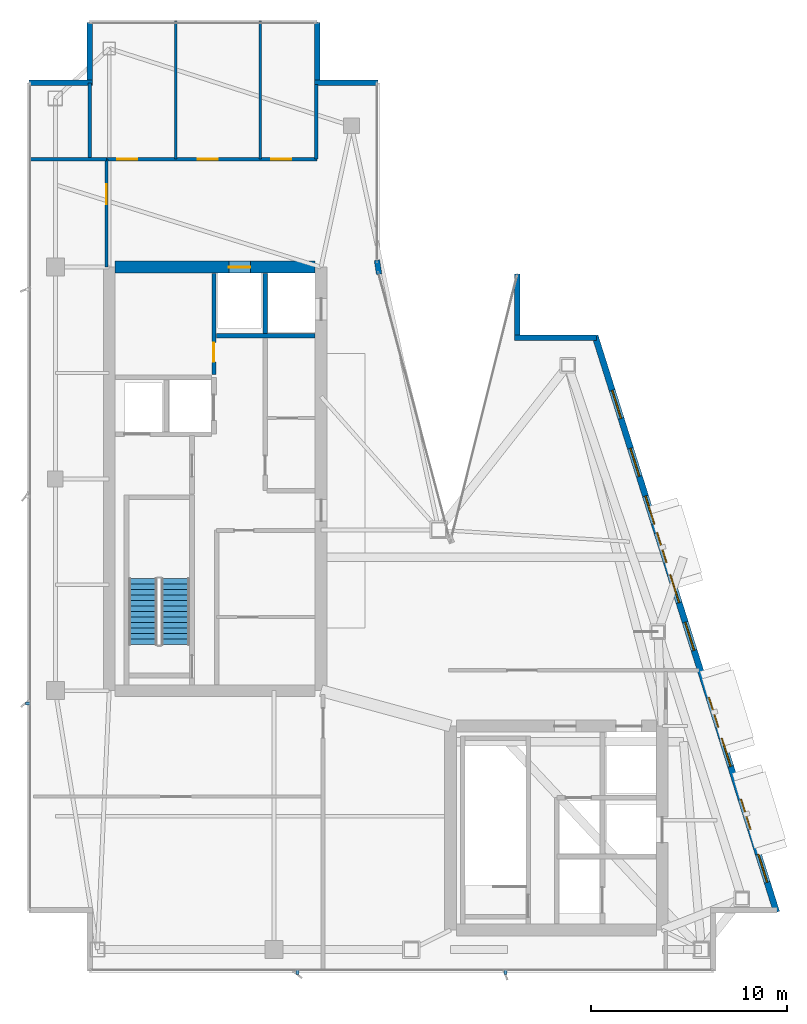
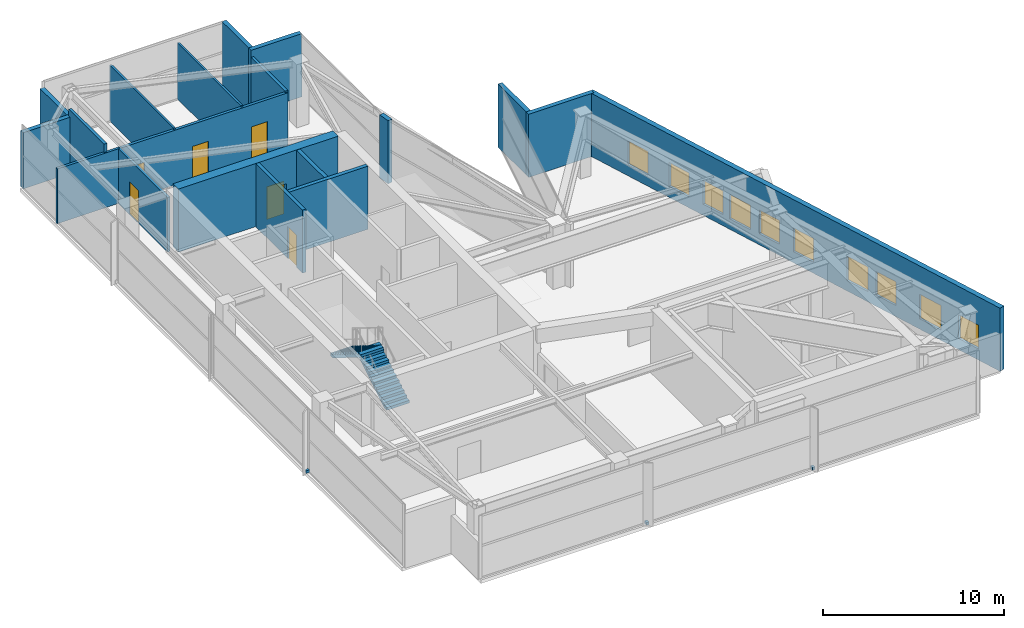
# One storey, part 22 of 25: 19 walls, 10 windows, 6 doors, 3 discrete accessories, 2 stair flights, 16 openings, 1 element without a shape of its own.
"""IFC4 building model written with IfcOpenShell, lengths in metres."""

from ifc_helpers import new_model, si_unit, direction, frame, frame_2d, origin, origin_2d, place, context, subcontext, project, spatial, polyline, rectangle, outline, extrude, material, layer, layer_set, type_object, element, fill, aggregate, save


model = new_model("IFC4")

# Units and contexts
model_context = context("Model", 3, precision=1e-05, world=origin(), true_north=direction((0.0, 1.0)))
body_context = subcontext(model_context, "Body", "Model", "MODEL_VIEW")
ifc_project = project(units=[si_unit("LENGTHUNIT", "METRE"), si_unit("AREAUNIT", "SQUARE_METRE"), si_unit("VOLUMEUNIT", "CUBIC_METRE"), si_unit("PLANEANGLEUNIT", "RADIAN"), si_unit("MASSUNIT", "GRAM", prefix="KILO")], contexts=[model_context])

# Site, building, storey
site_placement = place(None, origin())
site = spatial("IfcSite", under=ifc_project, at=site_placement, CompositionType="ELEMENT")
building_placement = place(site_placement, origin())
building = spatial("IfcBuilding", under=site, at=building_placement, Name="Calvorn Quay Hotel", CompositionType="ELEMENT")
storey_placement = place(building_placement, frame((0.0, 0.0, 316.0)))
storey = spatial("IfcBuildingStorey", under=building, at=storey_placement, Name="L78", CompositionType="ELEMENT", Elevation=316.0)

# Wall, opening, door
ifc_material_1 = material(Name="Concrete C45", Category="concrete")
ifc_layer_1 = layer(ifc_material_1, 0.60009765625)
ifc_layer_set_1 = layer_set([ifc_layer_1], Name="WL-CORE-600")
wall_type_1 = type_object("IfcWallType", Name="WL-CORE-600", PredefinedType="SHEAR", material=ifc_layer_set_1)
wall_1_placement = place(storey_placement, frame((4.5, 38.39990234375, 0.0), z_axis=(0.0, 0.0, 1.0), x_axis=(1.0, 0.0, 0.0)))
wall_1 = element("IfcWall", 1, at=wall_1_placement, inside=storey, type_object=wall_type_1, Name="West Core Shear Wall N (L78)", PredefinedType="SHEAR", context=body_context, shape_type="SweptSolid", body=[
    extrude(rectangle(XDim=10.199951171875, YDim=0.60009765625, at=frame_2d((5.10009765625, 0.0))), origin(), (0.0, 0.0, 1.0), 4.260009765625),
])
opening_1_placement = place(wall_1_placement, frame((5.800048828125, 0.0, 0.0)))
opening_1 = element("IfcOpeningElement", 2, at=opening_1_placement, cuts=wall_1, Name="Opening LD-L78-H2", PredefinedType="OPENING", context=body_context, shape_type="SweptSolid", body=[
    extrude(rectangle(XDim=1.10009765625, YDim=2.199951171875, at=frame_2d((0.550048828125, 1.10009765625))), frame((0.0, 0.31005859375, 0.0), z_axis=(0.0, -1.0, 0.0), x_axis=(1.0, 0.0, 0.0)), (0.0, 0.0, 1.0), 0.6201171875),
])
ifc_material_2 = material(Name="Brushed Stainless Steel Sliding Lift Landing Door", Category="steel")
door_type_1 = type_object("IfcDoorType", Name="DR-LIFT-PASS-1100", OperationType="NOTDEFINED", PredefinedType="DOOR", material=ifc_material_2)
door_1_placement = place(opening_1_placement, origin())
door_1 = element("IfcDoor", 3, at=door_1_placement, inside=storey, type_object=door_type_1, Name="High-Rise Lift PL-H2 Landing Door (L78)", OperationType="DOUBLE_DOOR_SLIDING", OverallHeight=2.199951171875, OverallWidth=1.10009765625, PredefinedType="DOOR", context=body_context, shape_type="SweptSolid", body=[
    extrude(rectangle(XDim=1.10009765625, YDim=2.199951171875, at=frame_2d((0.550048828125, 1.10009765625))), frame((0.0, 0.02490234375, 0.0), z_axis=(0.0, -1.0, 0.0), x_axis=(1.0, 0.0, 0.0)), (0.0, 0.0, 1.0), 0.050048828125),
])
fill(opening_1, door_1)

# Wall
ifc_material_3 = material(Name="Acoustic Fireboard Steel-Stud Partition", Category="steel")
ifc_layer_2 = layer(ifc_material_3, 0.179931640625)
ifc_layer_set_2 = layer_set([ifc_layer_2], Name="WL-CORR-FIRE-180")
wall_type_2 = type_object("IfcWallType", Name="WL-CORR-FIRE-180", PredefinedType="PARTITIONING", material=ifc_layer_set_2)
wall_2_placement = place(storey_placement, frame((3.199951171875, 43.89990234375, 0.0), z_axis=(0.0, 0.0, 1.0), x_axis=(0.0, 1.0, 0.0)))
element("IfcWall", 4, at=wall_2_placement, inside=storey, type_object=wall_type_2, Name="Partition Wall L78-WL-SK-WC-W", PredefinedType="PARTITIONING", context=body_context, shape_type="SweptSolid", body=[
    extrude(rectangle(XDim=3.900146484375, YDim=0.179931640625, at=frame_2d((1.9501953125, 0.0))), origin(), (0.0, 0.0, 1.0), 4.260009765625),
])

# Wall, openings, doors
wall_3_placement = place(storey_placement, frame((4.06005859375, 43.89990234375, 0.0), z_axis=(0.0, 0.0, 1.0), x_axis=(1.0, 0.0, 0.0)))
wall_3 = element("IfcWall", 5, at=wall_3_placement, inside=storey, type_object=wall_type_2, Name="Partition Wall L78-WL-SK-WC-S", PredefinedType="PARTITIONING", context=body_context, shape_type="SweptSolid", body=[
    extrude(rectangle(XDim=10.739990234375, YDim=0.179931640625, at=frame_2d((5.3701171875, 0.0))), origin(), (0.0, 0.0, 1.0), 3.68994140625),
])
opening_2_placement = place(wall_3_placement, frame((0.550048828125, 0.0, 0.0)))
opening_2 = element("IfcOpeningElement", 6, at=opening_2_placement, cuts=wall_3, Name="Opening D-L78-WM", PredefinedType="OPENING", context=body_context, shape_type="SweptSolid", body=[
    extrude(rectangle(XDim=1.02001953125, YDim=2.199951171875, at=frame_2d((0.510009765625, 1.10009765625))), frame((0.0, 0.099853515625, 0.0), z_axis=(0.0, -1.0, 0.0), x_axis=(1.0, 0.0, 0.0)), (0.0, 0.0, 1.0), 0.199951171875),
])
opening_3_placement = place(wall_3_placement, frame((4.64990234375, 0.0, 0.0)))
opening_3 = element("IfcOpeningElement", 7, at=opening_3_placement, cuts=wall_3, Name="Opening D-L78-WF", PredefinedType="OPENING", context=body_context, shape_type="SweptSolid", body=[
    extrude(rectangle(XDim=1.02001953125, YDim=2.199951171875, at=frame_2d((0.510009765625, 1.10009765625))), frame((0.0, 0.099853515625, 0.0), z_axis=(0.0, -1.0, 0.0), x_axis=(1.0, 0.0, 0.0)), (0.0, 0.0, 1.0), 0.199951171875),
])
opening_4_placement = place(wall_3_placement, frame((8.39990234375, 0.0, 0.0)))
opening_4 = element("IfcOpeningElement", 8, at=opening_4_placement, cuts=wall_3, Name="Opening D-L78-WA", PredefinedType="OPENING", context=body_context, shape_type="SweptSolid", body=[
    extrude(rectangle(XDim=1.02001953125, YDim=2.199951171875, at=frame_2d((0.510009765625, 1.10009765625))), frame((0.0, 0.099853515625, 0.0), z_axis=(0.0, -1.0, 0.0), x_axis=(1.0, 0.0, 0.0)), (0.0, 0.0, 1.0), 0.199951171875),
])
ifc_material_4 = material(Name="Solid-Core Walnut Veneer Hotel Fire Door")
door_type_2 = type_object("IfcDoorType", Name="DR-GUEST-ENTRY-1020", OperationType="NOTDEFINED", PredefinedType="DOOR", material=ifc_material_4)
door_2_placement = place(opening_2_placement, origin())
door_2 = element("IfcDoor", 9, at=door_2_placement, inside=storey, type_object=door_type_2, Name="Male WC Door", OperationType="SINGLE_SWING_LEFT", OverallHeight=2.199951171875, OverallWidth=1.02001953125, PredefinedType="DOOR", context=body_context, shape_type="SweptSolid", body=[
    extrude(rectangle(XDim=1.02001953125, YDim=2.199951171875, at=frame_2d((0.510009765625, 1.10009765625))), frame((0.0, 0.02490234375, 0.0), z_axis=(0.0, -1.0, 0.0), x_axis=(1.0, 0.0, 0.0)), (0.0, 0.0, 1.0), 0.050048828125),
])
fill(opening_2, door_2)
door_3_placement = place(opening_3_placement, origin())
door_3 = element("IfcDoor", 10, at=door_3_placement, inside=storey, type_object=door_type_2, Name="Female WC Door", OperationType="SINGLE_SWING_RIGHT", OverallHeight=2.199951171875, OverallWidth=1.02001953125, PredefinedType="DOOR", context=body_context, shape_type="SweptSolid", body=[
    extrude(rectangle(XDim=1.02001953125, YDim=2.199951171875, at=frame_2d((0.510009765625, 1.10009765625))), frame((0.0, 0.02490234375, 0.0), z_axis=(0.0, -1.0, 0.0), x_axis=(1.0, 0.0, 0.0)), (0.0, 0.0, 1.0), 0.050048828125),
])
fill(opening_3, door_3)
door_4_placement = place(opening_4_placement, origin())
door_4 = element("IfcDoor", 11, at=door_4_placement, inside=storey, type_object=door_type_2, Name="Accessible WC Door", OperationType="SINGLE_SWING_LEFT", OverallHeight=2.199951171875, OverallWidth=1.02001953125, PredefinedType="DOOR", context=body_context, shape_type="SweptSolid", body=[
    extrude(rectangle(XDim=1.02001953125, YDim=2.199951171875, at=frame_2d((0.510009765625, 1.10009765625))), frame((0.0, 0.02490234375, 0.0), z_axis=(0.0, -1.0, 0.0), x_axis=(1.0, 0.0, 0.0)), (0.0, 0.0, 1.0), 0.050048828125),
])
fill(opening_4, door_4)

# Walls
wall_4_placement = place(storey_placement, frame((14.75, 43.89990234375, 0.0), z_axis=(0.0, 0.0, 1.0), x_axis=(0.0, 1.0, 0.0)))
element("IfcWall", 12, at=wall_4_placement, inside=storey, type_object=wall_type_2, Name="Partition Wall L78-WL-SK-WC-E", PredefinedType="PARTITIONING", context=body_context, shape_type="SweptSolid", body=[
    extrude(rectangle(XDim=3.820068359375, YDim=0.179931640625, at=frame_2d((1.91015625, 0.0))), origin(), (0.0, 0.0, 1.0), 3.7900390625),
])
ifc_material_5 = material(Name="Moisture-Resistant Tile-Backed Partition")
ifc_layer_3 = layer(ifc_material_5, 0.125)
ifc_layer_set_3 = layer_set([ifc_layer_3], Name="WL-ENSUITE-125")
wall_type_3 = type_object("IfcWallType", Name="WL-ENSUITE-125", PredefinedType="PARTITIONING", material=ifc_layer_set_3)
for number, where, z_axis, x_axis, name in (
    (13, (7.60009765625, 43.89990234375, 0.0), (0.0, 0.0, 1.0), (0.0, 1.0, 0.0), "Partition Wall L78-WL-SK-WC-D1"),
    (14, (11.89990234375, 43.89990234375, 0.0), (0.0, 0.0, 1.0), (0.0, 1.0, 0.0), "Partition Wall L78-WL-SK-WC-D2"),
):
    element("IfcWall", number, at=place(storey_placement, frame(where, z_axis=z_axis, x_axis=x_axis)), inside=storey, type_object=wall_type_3, Name=name, PredefinedType="PARTITIONING", context=body_context, shape_type="SweptSolid", body=[
        extrude(rectangle(XDim=7.0400390625, YDim=0.125, at=frame_2d((3.52001953125, 0.0))), origin(), (0.0, 0.0, 1.0), 3.7900390625),
    ])
ifc_material_6 = material(Name="Concrete C40", Category="concrete")
ifc_layer_4 = layer(ifc_material_6, 0.320068359375)
ifc_layer_set_4 = layer_set([ifc_layer_4], Name="WL-EXT-SPANDREL-320")
wall_type_4 = type_object("IfcWallType", Name="WL-EXT-SPANDREL-320", PredefinedType="SOLIDWALL", material=ifc_layer_set_4)
wall_5_placement = place(storey_placement, frame((17.9619140625, 38.030029296875, 0.0), z_axis=(0.0, 0.0, 1.0), x_axis=(-0.15141125477, 0.988470855377, 0.0)))
element("IfcWall", 15, at=wall_5_placement, inside=storey, type_object=wall_type_4, Name="Inner Court Corner Pier L78-ICJ2", PredefinedType="SOLIDWALL", context=body_context, shape_type="SweptSolid", body=[
    extrude(rectangle(XDim=0.738525390625, YDim=0.280029296875, at=frame_2d((0.369140625, 0.0))), origin(), (0.0, 0.0, 1.0), 4.260009765625),
])
wall_6_placement = place(storey_placement, frame((29.0400390625, 34.800048828125, 0.0), z_axis=(0.0, 0.0, 1.0), x_axis=(-1.0, 0.0, 0.0)))
element("IfcWall", 16, at=wall_6_placement, inside=storey, type_object=wall_type_4, Name="Notched Corner Spandrel L78-NE1", PredefinedType="SOLIDWALL", context=body_context, shape_type="SweptSolid", body=[
    extrude(rectangle(XDim=4.179931640625, YDim=0.280029296875, at=frame_2d((2.08984375, 0.0))), origin(), (0.0, 0.0, 1.0), 4.260009765625),
])
wall_7_placement = place(storey_placement, frame((25.0, 34.93994140625, 0.0), z_axis=(0.0, 0.0, 1.0), x_axis=(0.0, 1.0, 0.0)))
element("IfcWall", 17, at=wall_7_placement, inside=storey, type_object=wall_type_4, Name="Notched Corner Spandrel L78-NE2", PredefinedType="SOLIDWALL", context=body_context, shape_type="SweptSolid", body=[
    extrude(rectangle(XDim=3.10009765625, YDim=0.280029296875, at=frame_2d((1.550048828125, 0.0))), origin(), (0.0, 0.0, 1.0), 4.260009765625),
])
wall_8_placement = place(storey_placement, frame((17.89990234375, 47.800048828125, 0.0), z_axis=(0.0, 0.0, 1.0), x_axis=(-1.0, 0.0, 0.0)))
element("IfcWall", 18, at=wall_8_placement, inside=storey, type_object=wall_type_4, Name="Notched Corner Spandrel L78-NWE1", PredefinedType="SOLIDWALL", context=body_context, shape_type="SweptSolid", body=[
    extrude(rectangle(XDim=3.239990234375, YDim=0.280029296875, at=frame_2d((1.6201171875, 0.0))), origin(), (0.0, 0.0, 1.0), 4.260009765625),
])
wall_9_placement = place(storey_placement, frame((14.800048828125, 47.93994140625, 0.0), z_axis=(0.0, 0.0, 1.0), x_axis=(0.0, 1.0, 0.0)))
element("IfcWall", 19, at=wall_9_placement, inside=storey, type_object=wall_type_4, Name="Notched Corner Spandrel L78-NWE2", PredefinedType="SOLIDWALL", context=body_context, shape_type="SweptSolid", body=[
    extrude(rectangle(XDim=2.93994140625, YDim=0.280029296875, at=frame_2d((1.469970703125, 0.0))), origin(), (0.0, 0.0, 1.0), 4.260009765625),
])
wall_10_placement = place(storey_placement, frame((3.199951171875, 50.8798828125, 0.0), z_axis=(0.0, 0.0, 1.0), x_axis=(0.0, -1.0, 0.0)))
element("IfcWall", 20, at=wall_10_placement, inside=storey, type_object=wall_type_4, Name="Notched Corner Spandrel L78-NW1", PredefinedType="SOLIDWALL", context=body_context, shape_type="SweptSolid", body=[
    extrude(rectangle(XDim=2.93994140625, YDim=0.280029296875, at=frame_2d((1.469970703125, 0.0))), origin(), (0.0, 0.0, 1.0), 3.7900390625),
])
wall_11_placement = place(storey_placement, frame((3.340087890625, 47.800048828125, 0.0), z_axis=(0.0, 0.0, 1.0), x_axis=(-1.0, 0.0, 0.0)))
element("IfcWall", 21, at=wall_11_placement, inside=storey, type_object=wall_type_4, Name="Notched Corner Spandrel L78-NW2", PredefinedType="SOLIDWALL", context=body_context, shape_type="SweptSolid", body=[
    extrude(rectangle(XDim=3.219970703125, YDim=0.280029296875, at=frame_2d((1.60986328125, 0.0))), origin(), (0.0, 0.0, 1.0), 3.7900390625),
])

# Wall, openings, windows
wall_12_placement = place(storey_placement, frame((38.22998046875, 5.5048828125, 0.0), z_axis=(0.0, 0.0, 1.0), x_axis=(-0.300509063924, 0.953778958931, 0.0)))
wall_12 = element("IfcWall", 22, at=wall_12_placement, inside=storey, type_object=wall_type_4, Name="East Stepped Waterfront Exterior Wall (L78)", PredefinedType="SOLIDWALL", context=body_context, shape_type="SweptSolid", body=[
    extrude(rectangle(XDim=30.814453125, YDim=0.320068359375, at=frame_2d((15.4072265625, 0.0))), origin(), (0.0, 0.0, 1.0), 4.260009765625),
])
opening_5_placement = place(wall_12_placement, frame((4.43701171875, 0.0, 0.699951171875)))
opening_5 = element("IfcOpeningElement", 23, at=opening_5_placement, cuts=wall_12, Name="Opening WHD-L78-1", PredefinedType="OPENING", context=body_context, shape_type="SweptSolid", body=[
    extrude(rectangle(XDim=1.60009765625, YDim=1.64990234375, at=frame_2d((0.800048828125, 0.824951171875))), frame((0.0, 0.169921875, 0.0), z_axis=(0.0, -1.0, 0.0), x_axis=(1.0, 0.0, 0.0)), (0.0, 0.0, 1.0), 0.340087890625),
])
opening_6_placement = place(wall_12_placement, frame((9.888916015625, 0.0, 0.699951171875)))
opening_6 = element("IfcOpeningElement", 24, at=opening_6_placement, cuts=wall_12, Name="Opening WHD-L78-2", PredefinedType="OPENING", context=body_context, shape_type="SweptSolid", body=[
    extrude(rectangle(XDim=1.60009765625, YDim=1.64990234375, at=frame_2d((0.800048828125, 0.824951171875))), frame((0.0, 0.169921875, 0.0), z_axis=(0.0, -1.0, 0.0), x_axis=(1.0, 0.0, 0.0)), (0.0, 0.0, 1.0), 0.340087890625),
])
opening_7_placement = place(wall_12_placement, frame((18.696044921875, 0.0, 0.699951171875)))
opening_7 = element("IfcOpeningElement", 25, at=opening_7_placement, cuts=wall_12, Name="Opening WHD-L78-3", PredefinedType="OPENING", context=body_context, shape_type="SweptSolid", body=[
    extrude(rectangle(XDim=1.60009765625, YDim=1.64990234375, at=frame_2d((0.800048828125, 0.824951171875))), frame((0.0, 0.169921875, 0.0), z_axis=(0.0, -1.0, 0.0), x_axis=(1.0, 0.0, 0.0)), (0.0, 0.0, 1.0), 0.340087890625),
])
opening_8_placement = place(wall_12_placement, frame((1.60009765625, 0.0, 0.75)))
opening_8 = element("IfcOpeningElement", 26, at=opening_8_placement, cuts=wall_12, Name="Opening WG-L78-E1", PredefinedType="OPENING", context=body_context, shape_type="SweptSolid", body=[
    extrude(rectangle(XDim=1.5, YDim=1.60009765625, at=frame_2d((0.75, 0.800048828125))), frame((0.0, 0.169921875, 0.0), z_axis=(0.0, -1.0, 0.0), x_axis=(1.0, 0.0, 0.0)), (0.0, 0.0, 1.0), 0.340087890625),
])
opening_9_placement = place(wall_12_placement, frame((7.800048828125, 0.0, 0.75)))
opening_9 = element("IfcOpeningElement", 27, at=opening_9_placement, cuts=wall_12, Name="Opening WG-L78-E2", PredefinedType="OPENING", context=body_context, shape_type="SweptSolid", body=[
    extrude(rectangle(XDim=1.5, YDim=1.60009765625, at=frame_2d((0.75, 0.800048828125))), frame((0.0, 0.169921875, 0.0), z_axis=(0.0, -1.0, 0.0), x_axis=(1.0, 0.0, 0.0)), (0.0, 0.0, 1.0), 0.340087890625),
])
opening_10_placement = place(wall_12_placement, frame((14.0, 0.0, 0.75)))
opening_10 = element("IfcOpeningElement", 28, at=opening_10_placement, cuts=wall_12, Name="Opening WG-L78-E3", PredefinedType="OPENING", context=body_context, shape_type="SweptSolid", body=[
    extrude(rectangle(XDim=1.5, YDim=1.60009765625, at=frame_2d((0.75, 0.800048828125))), frame((0.0, 0.169921875, 0.0), z_axis=(0.0, -1.0, 0.0), x_axis=(1.0, 0.0, 0.0)), (0.0, 0.0, 1.0), 0.340087890625),
])
opening_11_placement = place(wall_12_placement, frame((16.550048828125, 0.0, 0.75)))
opening_11 = element("IfcOpeningElement", 29, at=opening_11_placement, cuts=wall_12, Name="Opening WG-L78-E4", PredefinedType="OPENING", context=body_context, shape_type="SweptSolid", body=[
    extrude(rectangle(XDim=1.5, YDim=1.60009765625, at=frame_2d((0.75, 0.800048828125))), frame((0.0, 0.169921875, 0.0), z_axis=(0.0, -1.0, 0.0), x_axis=(1.0, 0.0, 0.0)), (0.0, 0.0, 1.0), 0.340087890625),
])
opening_12_placement = place(wall_12_placement, frame((20.75, 0.0, 0.75)))
opening_12 = element("IfcOpeningElement", 30, at=opening_12_placement, cuts=wall_12, Name="Opening WG-L78-E5", PredefinedType="OPENING", context=body_context, shape_type="SweptSolid", body=[
    extrude(rectangle(XDim=1.5, YDim=1.60009765625, at=frame_2d((0.75, 0.800048828125))), frame((0.0, 0.169921875, 0.0), z_axis=(0.0, -1.0, 0.0), x_axis=(1.0, 0.0, 0.0)), (0.0, 0.0, 1.0), 0.340087890625),
])
opening_13_placement = place(wall_12_placement, frame((23.300048828125, 0.0, 0.75)))
opening_13 = element("IfcOpeningElement", 31, at=opening_13_placement, cuts=wall_12, Name="Opening WG-L78-E6", PredefinedType="OPENING", context=body_context, shape_type="SweptSolid", body=[
    extrude(rectangle(XDim=1.5, YDim=1.60009765625, at=frame_2d((0.75, 0.800048828125))), frame((0.0, 0.169921875, 0.0), z_axis=(0.0, -1.0, 0.0), x_axis=(1.0, 0.0, 0.0)), (0.0, 0.0, 1.0), 0.340087890625),
])
opening_14_placement = place(wall_12_placement, frame((26.39990234375, 0.0, 0.75)))
opening_14 = element("IfcOpeningElement", 32, at=opening_14_placement, cuts=wall_12, Name="Opening WG-L78-E7", PredefinedType="OPENING", context=body_context, shape_type="SweptSolid", body=[
    extrude(rectangle(XDim=1.5, YDim=1.60009765625, at=frame_2d((0.75, 0.800048828125))), frame((0.0, 0.169921875, 0.0), z_axis=(0.0, -1.0, 0.0), x_axis=(1.0, 0.0, 0.0)), (0.0, 0.0, 1.0), 0.340087890625),
])
ifc_material_7 = material(Name="Champagne-Bronze Aluminium Low-E Window", Category="aluminium")
window_type_1 = type_object("IfcWindowType", Name="WIN-GUEST-SIDE-1600x2100", PartitioningType="SINGLE_PANEL", PredefinedType="WINDOW", material=ifc_material_7)
window_1_placement = place(opening_5_placement, origin())
window_1 = element("IfcWindow", 33, at=window_1_placement, inside=storey, type_object=window_type_1, Name="Bay Hood Window L78-HOOD-1", OverallHeight=1.64990234375, OverallWidth=1.60009765625, PartitioningType="SINGLE_PANEL", PredefinedType="WINDOW", context=body_context, shape_type="SweptSolid", body=[
    extrude(rectangle(XDim=1.60009765625, YDim=1.64990234375, at=frame_2d((0.800048828125, 0.824951171875))), frame((0.0, 0.030029296875, 0.0), z_axis=(0.0, -1.0, 0.0), x_axis=(1.0, 0.0, 0.0)), (0.0, 0.0, 1.0), 0.06005859375),
])
fill(opening_5, window_1)
window_2_placement = place(opening_6_placement, origin())
window_2 = element("IfcWindow", 34, at=window_2_placement, inside=storey, type_object=window_type_1, Name="Bay Hood Window L78-HOOD-2", OverallHeight=1.64990234375, OverallWidth=1.60009765625, PartitioningType="SINGLE_PANEL", PredefinedType="WINDOW", context=body_context, shape_type="SweptSolid", body=[
    extrude(rectangle(XDim=1.60009765625, YDim=1.64990234375, at=frame_2d((0.800048828125, 0.824951171875))), frame((0.0, 0.030029296875, 0.0), z_axis=(0.0, -1.0, 0.0), x_axis=(1.0, 0.0, 0.0)), (0.0, 0.0, 1.0), 0.06005859375),
])
fill(opening_6, window_2)
window_3_placement = place(opening_7_placement, origin())
window_3 = element("IfcWindow", 35, at=window_3_placement, inside=storey, type_object=window_type_1, Name="Bay Hood Window L78-HOOD-3", OverallHeight=1.64990234375, OverallWidth=1.60009765625, PartitioningType="SINGLE_PANEL", PredefinedType="WINDOW", context=body_context, shape_type="SweptSolid", body=[
    extrude(rectangle(XDim=1.60009765625, YDim=1.64990234375, at=frame_2d((0.800048828125, 0.824951171875))), frame((0.0, 0.030029296875, 0.0), z_axis=(0.0, -1.0, 0.0), x_axis=(1.0, 0.0, 0.0)), (0.0, 0.0, 1.0), 0.06005859375),
])
fill(opening_7, window_3)
ifc_material_8 = material(Name="Self-Closing Class B Fire Window")
window_type_2 = type_object("IfcWindowType", Name="WIN-REFUGE-1500x1600", PartitioningType="SINGLE_PANEL", PredefinedType="WINDOW", material=ifc_material_8)
window_4_placement = place(opening_8_placement, origin())
window_4 = element("IfcWindow", 36, at=window_4_placement, inside=storey, type_object=window_type_2, Name="East Facade Window L78-E1", OverallHeight=1.60009765625, OverallWidth=1.5, PartitioningType="SINGLE_PANEL", PredefinedType="WINDOW", context=body_context, shape_type="SweptSolid", body=[
    extrude(rectangle(XDim=1.5, YDim=1.60009765625, at=frame_2d((0.75, 0.800048828125))), frame((0.0, 0.030029296875, 0.0), z_axis=(0.0, -1.0, 0.0), x_axis=(1.0, 0.0, 0.0)), (0.0, 0.0, 1.0), 0.06005859375),
])
fill(opening_8, window_4)
window_5_placement = place(opening_9_placement, origin())
window_5 = element("IfcWindow", 37, at=window_5_placement, inside=storey, type_object=window_type_2, Name="East Facade Window L78-E2", OverallHeight=1.60009765625, OverallWidth=1.5, PartitioningType="SINGLE_PANEL", PredefinedType="WINDOW", context=body_context, shape_type="SweptSolid", body=[
    extrude(rectangle(XDim=1.5, YDim=1.60009765625, at=frame_2d((0.75, 0.800048828125))), frame((0.0, 0.030029296875, 0.0), z_axis=(0.0, -1.0, 0.0), x_axis=(1.0, 0.0, 0.0)), (0.0, 0.0, 1.0), 0.06005859375),
])
fill(opening_9, window_5)
window_6_placement = place(opening_10_placement, origin())
window_6 = element("IfcWindow", 38, at=window_6_placement, inside=storey, type_object=window_type_2, Name="East Facade Window L78-E3", OverallHeight=1.60009765625, OverallWidth=1.5, PartitioningType="SINGLE_PANEL", PredefinedType="WINDOW", context=body_context, shape_type="SweptSolid", body=[
    extrude(rectangle(XDim=1.5, YDim=1.60009765625, at=frame_2d((0.75, 0.800048828125))), frame((0.0, 0.030029296875, 0.0), z_axis=(0.0, -1.0, 0.0), x_axis=(1.0, 0.0, 0.0)), (0.0, 0.0, 1.0), 0.06005859375),
])
fill(opening_10, window_6)
window_7_placement = place(opening_11_placement, origin())
window_7 = element("IfcWindow", 39, at=window_7_placement, inside=storey, type_object=window_type_2, Name="East Facade Window L78-E4", OverallHeight=1.60009765625, OverallWidth=1.5, PartitioningType="SINGLE_PANEL", PredefinedType="WINDOW", context=body_context, shape_type="SweptSolid", body=[
    extrude(rectangle(XDim=1.5, YDim=1.60009765625, at=frame_2d((0.75, 0.800048828125))), frame((0.0, 0.030029296875, 0.0), z_axis=(0.0, -1.0, 0.0), x_axis=(1.0, 0.0, 0.0)), (0.0, 0.0, 1.0), 0.06005859375),
])
fill(opening_11, window_7)
window_8_placement = place(opening_12_placement, origin())
window_8 = element("IfcWindow", 40, at=window_8_placement, inside=storey, type_object=window_type_2, Name="East Facade Window L78-E5", OverallHeight=1.60009765625, OverallWidth=1.5, PartitioningType="SINGLE_PANEL", PredefinedType="WINDOW", context=body_context, shape_type="SweptSolid", body=[
    extrude(rectangle(XDim=1.5, YDim=1.60009765625, at=frame_2d((0.75, 0.800048828125))), frame((0.0, 0.030029296875, 0.0), z_axis=(0.0, -1.0, 0.0), x_axis=(1.0, 0.0, 0.0)), (0.0, 0.0, 1.0), 0.06005859375),
])
fill(opening_12, window_8)
window_9_placement = place(opening_13_placement, origin())
window_9 = element("IfcWindow", 41, at=window_9_placement, inside=storey, type_object=window_type_2, Name="East Facade Window L78-E6", OverallHeight=1.60009765625, OverallWidth=1.5, PartitioningType="SINGLE_PANEL", PredefinedType="WINDOW", context=body_context, shape_type="SweptSolid", body=[
    extrude(rectangle(XDim=1.5, YDim=1.60009765625, at=frame_2d((0.75, 0.800048828125))), frame((0.0, 0.030029296875, 0.0), z_axis=(0.0, -1.0, 0.0), x_axis=(1.0, 0.0, 0.0)), (0.0, 0.0, 1.0), 0.06005859375),
])
fill(opening_13, window_9)
window_10_placement = place(opening_14_placement, origin())
window_10 = element("IfcWindow", 42, at=window_10_placement, inside=storey, type_object=window_type_2, Name="East Facade Window L78-E7", OverallHeight=1.60009765625, OverallWidth=1.5, PartitioningType="SINGLE_PANEL", PredefinedType="WINDOW", context=body_context, shape_type="SweptSolid", body=[
    extrude(rectangle(XDim=1.5, YDim=1.60009765625, at=frame_2d((0.75, 0.800048828125))), frame((0.0, 0.030029296875, 0.0), z_axis=(0.0, -1.0, 0.0), x_axis=(1.0, 0.0, 0.0)), (0.0, 0.0, 1.0), 0.06005859375),
])
fill(opening_14, window_10)

# Wall, opening, door
ifc_material_9 = material(Name="Double-Stud Acoustic Gypsum Partition")
ifc_layer_5 = layer(ifc_material_9, 0.159912109375)
ifc_layer_set_5 = layer_set([ifc_layer_5], Name="WL-INTERSUITE-160")
wall_type_5 = type_object("IfcWallType", Name="WL-INTERSUITE-160", PredefinedType="PARTITIONING", material=ifc_layer_set_5)
wall_13_placement = place(storey_placement, frame((4.06005859375, 38.39990234375, 0.0), z_axis=(0.0, 0.0, 1.0), x_axis=(0.0, 1.0, 0.0)))
wall_13 = element("IfcWall", 43, at=wall_13_placement, inside=storey, type_object=wall_type_5, Name="Partition Wall L78-WL-SK-WV-E", PredefinedType="PARTITIONING", context=body_context, shape_type="SweptSolid", body=[
    extrude(rectangle(XDim=5.5, YDim=0.159912109375, at=frame_2d((2.75, 0.0))), origin(), (0.0, 0.0, 1.0), 3.68994140625),
])
opening_15_placement = place(wall_13_placement, frame((3.199951171875, 0.0, 0.0)))
opening_15 = element("IfcOpeningElement", 44, at=opening_15_placement, cuts=wall_13, Name="Opening D-L78-WV", PredefinedType="OPENING", context=body_context, shape_type="SweptSolid", body=[
    extrude(rectangle(XDim=1.02001953125, YDim=2.199951171875, at=frame_2d((0.510009765625, 1.10009765625))), frame((0.0, 0.08984375, 0.0), z_axis=(0.0, -1.0, 0.0), x_axis=(1.0, 0.0, 0.0)), (0.0, 0.0, 1.0), 0.179931640625),
])
door_5_placement = place(opening_15_placement, origin())
door_5 = element("IfcDoor", 45, at=door_5_placement, inside=storey, type_object=door_type_2, Name="West Viewing Lounge Door", OperationType="SINGLE_SWING_LEFT", OverallHeight=2.199951171875, OverallWidth=1.02001953125, PredefinedType="DOOR", context=body_context, shape_type="SweptSolid", body=[
    extrude(rectangle(XDim=1.02001953125, YDim=2.199951171875, at=frame_2d((0.510009765625, 1.10009765625))), frame((0.0, 0.02490234375, 0.0), z_axis=(0.0, -1.0, 0.0), x_axis=(1.0, 0.0, 0.0)), (0.0, 0.0, 1.0), 0.050048828125),
])
fill(opening_15, door_5)

# Wall
wall_14_placement = place(storey_placement, frame((0.080078125, 43.89990234375, 0.0), z_axis=(0.0, 0.0, 1.0), x_axis=(1.0, 0.0, 0.0)))
element("IfcWall", 46, at=wall_14_placement, inside=storey, type_object=wall_type_5, Name="Partition Wall L78-WL-SK-WV-N", PredefinedType="PARTITIONING", context=body_context, shape_type="SweptSolid", body=[
    extrude(rectangle(XDim=3.97998046875, YDim=0.159912109375, at=frame_2d((1.989990234375, 0.0))), origin(), (0.0, 0.0, 1.0), 3.68994140625),
])

# Wall, opening, door
ifc_material_10 = material(Name="Autoclaved Aerated Masonry Block", Category="masonry")
ifc_layer_6 = layer(ifc_material_10, 0.219970703125)
ifc_layer_set_6 = layer_set([ifc_layer_6], Name="WL-LOBBY-FIRE-220")
wall_type_6 = type_object("IfcWallType", Name="WL-LOBBY-FIRE-220", PredefinedType="SOLIDWALL", material=ifc_layer_set_6)
wall_15_placement = place(storey_placement, frame((9.5400390625, 32.919921875, 0.0), z_axis=(0.0, 0.0, 1.0), x_axis=(0.0, 1.0, 0.0)))
wall_15 = element("IfcWall", 47, at=wall_15_placement, inside=storey, type_object=wall_type_6, Name="Partition Wall L78-WL-CWW-K-E", PredefinedType="SOLIDWALL", context=body_context, shape_type="SweptSolid", body=[
    extrude(rectangle(XDim=5.16015625, YDim=0.219970703125, at=frame_2d((2.580078125, 0.0))), origin(), (0.0, 0.0, 1.0), 4.260009765625),
])
opening_16_placement = place(wall_15_placement, frame((0.64990234375, 0.0, 0.0)))
opening_16 = element("IfcOpeningElement", 48, at=opening_16_placement, cuts=wall_15, Name="Opening D-L78-CK1", PredefinedType="OPENING", context=body_context, shape_type="SweptSolid", body=[
    extrude(rectangle(XDim=0.97998046875, YDim=2.14990234375, at=frame_2d((0.489990234375, 1.074951171875))), frame((0.0, 0.119873046875, 0.0), z_axis=(0.0, -1.0, 0.0), x_axis=(1.0, 0.0, 0.0)), (0.0, 0.0, 1.0), 0.239990234375),
])
ifc_material_11 = material(Name="Painted Steel Housekeeping/Riser Fire Door", Category="steel")
door_type_3 = type_object("IfcDoorType", Name="DR-SERVICE-980", OperationType="NOTDEFINED", PredefinedType="DOOR", material=ifc_material_11)
door_6_placement = place(opening_16_placement, origin())
door_6 = element("IfcDoor", 49, at=door_6_placement, inside=storey, type_object=door_type_3, Name="Core Linen Room Door (L78)", OperationType="SINGLE_SWING_LEFT", OverallHeight=2.14990234375, OverallWidth=0.97998046875, PredefinedType="DOOR", context=body_context, shape_type="SweptSolid", body=[
    extrude(rectangle(XDim=0.97998046875, YDim=2.14990234375, at=frame_2d((0.489990234375, 1.074951171875))), frame((0.0, 0.02490234375, 0.0), z_axis=(0.0, -1.0, 0.0), x_axis=(1.0, 0.0, 0.0)), (0.0, 0.0, 1.0), 0.050048828125),
])
fill(opening_16, door_6)

# Walls
ifc_material_12 = material(Name="Concrete C40", Category="concrete")
ifc_layer_7 = layer(ifc_material_12, 0.239990234375)
ifc_layer_set_7 = layer_set([ifc_layer_7], Name="WL-SHAFT-240")
wall_type_7 = type_object("IfcWallType", Name="WL-SHAFT-240", PredefinedType="SOLIDWALL", material=ifc_layer_set_7)
wall_16_placement = place(storey_placement, frame((9.659912109375, 34.89990234375, 0.0), z_axis=(0.0, 0.0, 1.0), x_axis=(1.0, 0.0, 0.0)))
element("IfcWall", 50, at=wall_16_placement, inside=storey, type_object=wall_type_7, Name="Partition Wall L78-WL-CWW-PLH-S", PredefinedType="SOLIDWALL", context=body_context, shape_type="SweptSolid", body=[
    extrude(rectangle(XDim=5.02001953125, YDim=0.239990234375, at=frame_2d((2.510009765625, 0.0))), origin(), (0.0, 0.0, 1.0), 4.260009765625),
])
wall_17_placement = place(storey_placement, frame((12.14990234375, 35.02001953125, 0.0), z_axis=(0.0, 0.0, 1.0), x_axis=(0.0, 1.0, 0.0)))
element("IfcWall", 51, at=wall_17_placement, inside=storey, type_object=wall_type_7, Name="Partition Wall L78-WL-CWW-PLH-DIV", PredefinedType="SOLIDWALL", context=body_context, shape_type="SweptSolid", body=[
    extrude(rectangle(XDim=3.06005859375, YDim=0.239990234375, at=frame_2d((1.530029296875, 0.0))), origin(), (0.0, 0.0, 1.0), 4.260009765625),
])

# Stair, stair flights
ifc_material_13 = material(Name="Concrete C40", Category="concrete")
stair_type = type_object("IfcStairType", Name="STR-CORE-DOGLEG", PredefinedType="HALF_TURN_STAIR", material=ifc_material_13)
stair_placement = place(storey_placement, origin())
stair = element("IfcStair", 52, at=stair_placement, inside=storey, type_object=stair_type, Name="L78 ST-W", PredefinedType="HALF_TURN_STAIR")
ifc_material_14 = material(Name="Concrete C40", Category="concrete")
stair_flight_type = type_object("IfcStairFlightType", Name="FLT-CORE-1550", PredefinedType="STRAIGHT", material=ifc_material_14)
stair_flight_1_placement = place(storey_placement, frame((7.574951171875, 19.14990234375, 0.0), z_axis=(0.0, 0.0, 1.0), x_axis=(0.0, 1.0, 0.0)))
stair_flight_1 = element("IfcStairFlight", 53, at=stair_flight_1_placement, type_object=stair_flight_type, Name="ST-W flight 1", NumberOfRisers=13, NumberOfTreads=12, PredefinedType="STRAIGHT", RiserHeight=0.173076923, TreadLength=0.28, context=body_context, shape_type="SweptSolid", body=[
    extrude(outline(polyline([(0.0, 0.0), (0.0, 0.173095703125), (0.280029296875, 0.173095703125), (0.280029296875, 0.34619140625), (0.56005859375, 0.34619140625), (0.56005859375, 0.519287109375), (0.840087890625, 0.519287109375), (0.840087890625, 0.6923828125), (1.1201171875, 0.6923828125), (1.1201171875, 0.865478515625), (1.39990234375, 0.865478515625), (1.39990234375, 1.03857421875), (1.679931640625, 1.03857421875), (1.679931640625, 1.21142578125), (1.9599609375, 1.21142578125), (1.9599609375, 1.384521484375), (2.239990234375, 1.384521484375), (2.239990234375, 1.5576171875), (2.52001953125, 1.5576171875), (2.52001953125, 1.730712890625), (2.800048828125, 1.730712890625), (2.800048828125, 1.90380859375), (3.080078125, 1.90380859375), (3.080078125, 2.076904296875), (3.360107421875, 2.076904296875), (3.360107421875, 2.25), (3.360107421875, 1.900634765625), (0.28515625, 0.0), (0.0, 0.0)])), frame((0.0, 0.72509765625, 0.0), z_axis=(0.0, -1.0, 0.0), x_axis=(1.0, 0.0, 0.0)), (0.0, 0.0, 1.0), 1.449951171875),
])
stair_flight_2_placement = place(storey_placement, frame((5.925048828125, 22.510009765625, 2.25), z_axis=(0.0, 0.0, 1.0), x_axis=(0.0, -1.0, 0.0)))
stair_flight_2 = element("IfcStairFlight", 54, at=stair_flight_2_placement, type_object=stair_flight_type, Name="ST-W flight 2", NumberOfRisers=13, NumberOfTreads=12, PredefinedType="STRAIGHT", RiserHeight=0.173076923, TreadLength=0.28, context=body_context, shape_type="SweptSolid", body=[
    extrude(outline(polyline([(0.0, 0.0), (0.0, 0.173095703125), (0.280029296875, 0.173095703125), (0.280029296875, 0.34619140625), (0.56005859375, 0.34619140625), (0.56005859375, 0.519287109375), (0.840087890625, 0.519287109375), (0.840087890625, 0.6923828125), (1.1201171875, 0.6923828125), (1.1201171875, 0.865478515625), (1.39990234375, 0.865478515625), (1.39990234375, 1.03857421875), (1.679931640625, 1.03857421875), (1.679931640625, 1.21142578125), (1.9599609375, 1.21142578125), (1.9599609375, 1.384521484375), (2.239990234375, 1.384521484375), (2.239990234375, 1.5576171875), (2.52001953125, 1.5576171875), (2.52001953125, 1.730712890625), (2.800048828125, 1.730712890625), (2.800048828125, 1.90380859375), (3.080078125, 1.90380859375), (3.080078125, 2.076904296875), (3.360107421875, 2.076904296875), (3.360107421875, 2.25), (3.360107421875, 1.900634765625), (0.28515625, 0.0), (0.0, 0.0)])), frame((0.0, 0.72509765625, 0.0), z_axis=(0.0, -1.0, 0.0), x_axis=(1.0, 0.0, 0.0)), (0.0, 0.0, 1.0), 1.449951171875),
])
aggregate(stair, [stair_flight_1, stair_flight_2])

# Discrete accessories
ifc_material_15 = material(Name="Steel Q355B", Category="steel")
discrete_accessory_type = type_object("IfcDiscreteAccessoryType", Name="ACC-FIN-BRACKET", PredefinedType="BRACKET", material=ifc_material_15)
for number, where, z_axis, x_axis, name in (
    (55, (0.06005859375, 16.14990234375, 0.0302734375), (0.0, 0.0, 1.0), (1.0, 0.0, 0.0), "Fin Anchor Bracket L78-W01"),
    (56, (13.800048828125, 2.4599609375, 0.0302734375), (0.0, 0.0, 1.0), (0.0, 1.0, 0.0), "Fin Anchor Bracket L78-S01"),
    (57, (24.39990234375, 2.4599609375, 0.0302734375), (0.0, 0.0, 1.0), (0.0, 1.0, 0.0), "Fin Anchor Bracket L78-S02"),
):
    element("IfcDiscreteAccessory", number, at=place(storey_placement, frame(where, z_axis=z_axis, x_axis=x_axis)), inside=storey, type_object=discrete_accessory_type, Name=name, PredefinedType="BRACKET", context=body_context, shape_type="SweptSolid", body=[
        extrude(rectangle(XDim=0.239990234375, YDim=0.159912109375, at=origin_2d()), origin(), (0.0, 0.0, 1.0), 0.179931640625),
    ])

save(model, "model.ifc")
